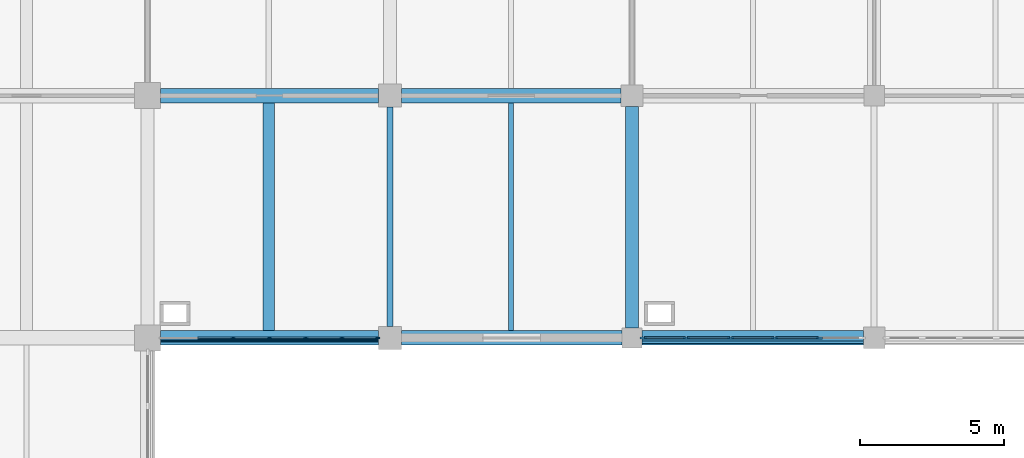
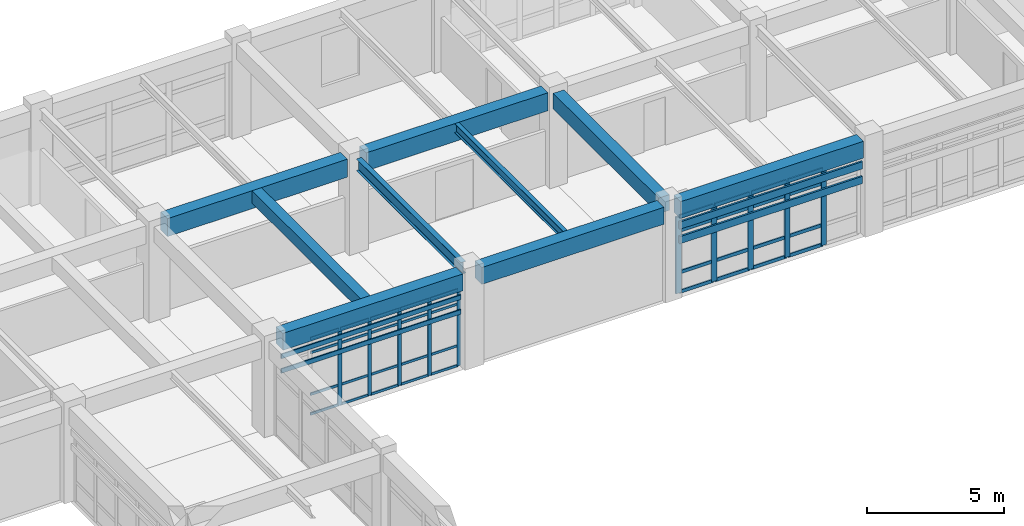
# One storey, part 53 of 99: 50 members, 9 beams, 2 elements without a shape of their own.
"""IFC4 building model written with IfcOpenShell, lengths in metres."""

from ifc_helpers import new_model, si_unit, direction, frame, origin, origin_2d, place, context, subcontext, project, spatial, rectangle, i_section, extrude, material, layer, layer_set, material_profile, profile_set, type_object, element, aggregate, save


model = new_model("IFC4")

# Units and contexts
model_context = context("Model", 3, precision=1e-05, world=origin(), true_north=direction((0.0, 1.0)))
body_context = subcontext(model_context, "Body", "Model", "MODEL_VIEW")
ifc_project = project(units=[si_unit("LENGTHUNIT", "METRE"), si_unit("AREAUNIT", "SQUARE_METRE"), si_unit("VOLUMEUNIT", "CUBIC_METRE"), si_unit("PLANEANGLEUNIT", "RADIAN"), si_unit("MASSUNIT", "GRAM", prefix="KILO")], contexts=[model_context])

# Site, building, storey
site_placement = place(None, origin())
site = spatial("IfcSite", under=ifc_project, at=site_placement, CompositionType="ELEMENT")
building_placement = place(site_placement, origin())
building = spatial("IfcBuilding", under=site, at=building_placement, Name="Porcellanite Civic Hall", CompositionType="ELEMENT")
storey_placement = place(building_placement, frame((0.0, 0.0, 5.760009765625)))
storey = spatial("IfcBuildingStorey", under=building, at=storey_placement, Name="L01", CompositionType="ELEMENT", Elevation=5.760009765625)

# Beams
ifc_material_1 = material(Name="Concrete N50 (50 MPa)", Category="concrete")
ifc_material_profile_1 = material_profile(ifc_material_1, rectangle(XDim=0.39990234375, YDim=0.550048828125, at=origin_2d()), Name="RC-400x550")
ifc_profile_set_1 = profile_set([ifc_material_profile_1], Name="Concrete N50 (50 MPa)")
beam_type_1 = type_object("IfcBeamType", Name="BM-RC550", PredefinedType="JOIST", material=ifc_profile_set_1)
beam_1_placement = place(storey_placement, frame((130.199951171875, 101.049560546875, 3.925048828125), z_axis=(0.0, 1.0, 0.0), x_axis=(-1.0, 0.0, 0.0)))
element("IfcBeam", 1, at=beam_1_placement, inside=storey, type_object=beam_type_1, Name="Secondary joist L01 16-13", PredefinedType="JOIST", context=body_context, shape_type="SweptSolid", body=[
    extrude(rectangle(XDim=0.39990234375, YDim=0.550048828125, at=origin_2d()), origin(), (0.0, 0.0, 1.0), 7.90087890625),
])
ifc_material_2 = material(Name="Concrete N50 (50 MPa)", Category="concrete")
ifc_material_profile_2 = material_profile(ifc_material_2, rectangle(XDim=0.449951171875, YDim=0.699951171875, at=origin_2d()), Name="RC-450x700")
ifc_profile_set_2 = profile_set([ifc_material_profile_2], Name="Concrete N50 (50 MPa)")
beam_type_2 = type_object("IfcBeamType", Name="BM-RC700", PredefinedType="BEAM", material=ifc_profile_set_2)
beam_2_placement = place(storey_placement, frame((142.800048828125, 101.1494140625, 3.85009765625), z_axis=(0.0, 1.0, 0.0), x_axis=(-1.0, 0.0, 0.0)))
element("IfcBeam", 2, at=beam_2_placement, inside=storey, type_object=beam_type_2, Name="Beam Y L01 18-13", PredefinedType="BEAM", context=body_context, shape_type="SweptSolid", body=[
    extrude(rectangle(XDim=0.449951171875, YDim=0.699951171875, at=origin_2d()), origin(), (0.0, 0.0, 1.0), 7.676025390625),
])
ifc_material_3 = material(Name="Concrete N50 (50 MPa)", Category="concrete")
ifc_material_profile_3 = material_profile(ifc_material_3, rectangle(XDim=0.5, YDim=0.75, at=origin_2d()), Name="RC-500x750")
ifc_profile_set_3 = profile_set([ifc_material_profile_3], Name="Concrete N50 (50 MPa)")
beam_type_3 = type_object("IfcBeamType", Name="BM-RC750", PredefinedType="SPANDREL", material=ifc_profile_set_3)
beam_3_placement = place(storey_placement, frame((126.449462890625, 100.800048828125, 3.824951171875), z_axis=(1.0, 0.0, 0.0), x_axis=(0.0, 1.0, 0.0)))
element("IfcBeam", 3, at=beam_3_placement, inside=storey, type_object=beam_type_3, Name="Beam X L01 16-13", PredefinedType="SPANDREL", context=body_context, shape_type="SweptSolid", body=[
    extrude(rectangle(XDim=0.5, YDim=0.75, at=origin_2d()), origin(), (0.0, 0.0, 1.0), 7.551025390625),
])
beam_4_placement = place(storey_placement, frame((134.799560546875, 100.800048828125, 3.824951171875), z_axis=(1.0, 0.0, 0.0), x_axis=(0.0, 1.0, 0.0)))
element("IfcBeam", 4, at=beam_4_placement, inside=storey, type_object=beam_type_3, Name="Beam X L01 17-13", PredefinedType="SPANDREL", context=body_context, shape_type="SweptSolid", body=[
    extrude(rectangle(XDim=0.5, YDim=0.75, at=origin_2d()), origin(), (0.0, 0.0, 1.0), 7.65087890625),
])
beam_5_placement = place(storey_placement, frame((143.1494140625, 100.800048828125, 3.824951171875), z_axis=(1.0, 0.0, 0.0), x_axis=(0.0, 1.0, 0.0)))
element("IfcBeam", 5, at=beam_5_placement, inside=storey, type_object=beam_type_3, Name="Beam X L01 18-13", PredefinedType="SPANDREL", context=body_context, shape_type="SweptSolid", body=[
    extrude(rectangle(XDim=0.5, YDim=0.75, at=origin_2d()), origin(), (0.0, 0.0, 1.0), 7.676025390625),
])
ifc_material_4 = material(Name="Concrete N50 (50 MPa)", Category="concrete")
ifc_material_profile_4 = material_profile(ifc_material_4, rectangle(XDim=0.5, YDim=0.800048828125, at=origin_2d()), Name="RC-500x800")
ifc_profile_set_4 = profile_set([ifc_material_profile_4], Name="Concrete N50 (50 MPa)")
beam_type_4 = type_object("IfcBeamType", Name="BM-RC800", PredefinedType="BEAM", material=ifc_profile_set_4)
beam_6_placement = place(storey_placement, frame((126.449462890625, 109.199951171875, 3.800048828125), z_axis=(1.0, 0.0, 0.0), x_axis=(0.0, 1.0, 0.0)))
element("IfcBeam", 6, at=beam_6_placement, inside=storey, type_object=beam_type_4, Name="Beam X L01 16-14", PredefinedType="BEAM", context=body_context, shape_type="SweptSolid", body=[
    extrude(rectangle(XDim=0.5, YDim=0.800048828125, at=origin_2d()), origin(), (0.0, 0.0, 1.0), 7.551025390625),
])
beam_7_placement = place(storey_placement, frame((134.799560546875, 109.199951171875, 3.800048828125), z_axis=(1.0, 0.0, 0.0), x_axis=(0.0, 1.0, 0.0)))
element("IfcBeam", 7, at=beam_7_placement, inside=storey, type_object=beam_type_4, Name="Beam X L01 17-14", PredefinedType="BEAM", context=body_context, shape_type="SweptSolid", body=[
    extrude(rectangle(XDim=0.5, YDim=0.800048828125, at=origin_2d()), origin(), (0.0, 0.0, 1.0), 7.6259765625),
])

# Curtain wall, members
ifc_material_5 = material(Name="Anodised aluminium and solar laminated glass", Category="aluminium")
ifc_layer_1 = layer(ifc_material_5, 0.179931640625)
ifc_layer_set_1 = layer_set([ifc_layer_1], Name="Anodised aluminium and solar laminated glass")
curtain_wall_type_1 = type_object("IfcCurtainWallType", Name="CW-SYS02", PredefinedType="NOTDEFINED", material=ifc_layer_set_1)
curtain_wall_1_placement = place(storey_placement, origin())
curtain_wall_1 = element("IfcCurtainWall", 8, at=curtain_wall_1_placement, inside=storey, type_object=curtain_wall_type_1, Name="Curtain wall CW-121", PredefinedType="NOTDEFINED")
ifc_material_6 = material(Name="Anodised aluminium 6063-T6", Category="aluminium")
ifc_material_profile_5 = material_profile(ifc_material_6, rectangle(XDim=0.074951171875, YDim=0.219970703125, at=origin_2d()), Name="AL-75x220")
ifc_profile_set_5 = profile_set([ifc_material_profile_5], Name="Anodised aluminium 6063-T6")
member_type_1 = type_object("IfcMemberType", Name="CWM-03", PredefinedType="MULLION", material=ifc_profile_set_5)
member_1_placement = place(storey_placement, frame((149.289306640625, 100.800048828125, 0.0), z_axis=(0.0, 0.0, 1.0), x_axis=(0.0, -1.0, 0.0)))
member_1 = element("IfcMember", 9, at=member_1_placement, type_object=member_type_1, Name="CW-121 mullion 2", PredefinedType="MULLION", context=body_context, shape_type="SweptSolid", body=[
    extrude(rectangle(XDim=0.074951171875, YDim=0.219970703125, at=origin_2d()), origin(), (0.0, 0.0, 1.0), 3.39990234375),
])
member_2_placement = place(storey_placement, frame((147.7548828125, 100.800048828125, 0.0), z_axis=(0.0, 0.0, 1.0), x_axis=(0.0, -1.0, 0.0)))
member_2 = element("IfcMember", 10, at=member_2_placement, type_object=member_type_1, Name="CW-121 mullion 3", PredefinedType="MULLION", context=body_context, shape_type="SweptSolid", body=[
    extrude(rectangle(XDim=0.074951171875, YDim=0.219970703125, at=origin_2d()), origin(), (0.0, 0.0, 1.0), 3.39990234375),
])
member_3_placement = place(storey_placement, frame((146.22021484375, 100.800048828125, 0.0), z_axis=(0.0, 0.0, 1.0), x_axis=(0.0, -1.0, 0.0)))
member_3 = element("IfcMember", 11, at=member_3_placement, type_object=member_type_1, Name="CW-121 mullion 4", PredefinedType="MULLION", context=body_context, shape_type="SweptSolid", body=[
    extrude(rectangle(XDim=0.074951171875, YDim=0.219970703125, at=origin_2d()), origin(), (0.0, 0.0, 1.0), 3.39990234375),
])
member_4_placement = place(storey_placement, frame((144.685546875, 100.800048828125, 0.0), z_axis=(0.0, 0.0, 1.0), x_axis=(0.0, -1.0, 0.0)))
member_4 = element("IfcMember", 12, at=member_4_placement, type_object=member_type_1, Name="CW-121 mullion 5", PredefinedType="MULLION", context=body_context, shape_type="SweptSolid", body=[
    extrude(rectangle(XDim=0.074951171875, YDim=0.219970703125, at=origin_2d()), origin(), (0.0, 0.0, 1.0), 3.39990234375),
])
member_5_placement = place(storey_placement, frame((143.1884765625, 100.800048828125, 0.0), z_axis=(0.0, 0.0, 1.0), x_axis=(0.0, -1.0, 0.0)))
member_5 = element("IfcMember", 13, at=member_5_placement, type_object=member_type_1, Name="CW-121 mullion 6", PredefinedType="MULLION", context=body_context, shape_type="SweptSolid", body=[
    extrude(rectangle(XDim=0.074951171875, YDim=0.219970703125, at=origin_2d()), origin(), (0.0, 0.0, 1.0), 3.39990234375),
])

ifc_material_7 = material(Name="Anodised aluminium and solar laminated glass", Category="aluminium")
ifc_layer_2 = layer(ifc_material_7, 0.179931640625)
ifc_layer_set_2 = layer_set([ifc_layer_2], Name="Anodised aluminium and solar laminated glass")
curtain_wall_type_2 = type_object("IfcCurtainWallType", Name="CW-SYS07", PredefinedType="NOTDEFINED", material=ifc_layer_set_2)
curtain_wall_2_placement = place(storey_placement, origin())
curtain_wall_2 = element("IfcCurtainWall", 14, at=curtain_wall_2_placement, inside=storey, type_object=curtain_wall_type_2, Name="Curtain wall CW-117", PredefinedType="NOTDEFINED")
ifc_material_8 = material(Name="Anodised aluminium 6063-T6", Category="aluminium")
ifc_material_profile_6 = material_profile(ifc_material_8, rectangle(XDim=0.06005859375, YDim=0.159912109375, at=origin_2d()), Name="AL-60x160")
ifc_profile_set_6 = profile_set([ifc_material_profile_6], Name="Anodised aluminium 6063-T6")
member_type_2 = type_object("IfcMemberType", Name="CWM-07", PredefinedType="MULLION", material=ifc_profile_set_6)
member_6_placement = place(storey_placement, frame((133.968994140625, 100.800048828125, 0.0), z_axis=(0.0, 0.0, 1.0), x_axis=(0.0, -1.0, 0.0)))
member_6 = element("IfcMember", 15, at=member_6_placement, type_object=member_type_2, Name="CW-117 mullion 1", PredefinedType="MULLION", context=body_context, shape_type="SweptSolid", body=[
    extrude(rectangle(XDim=0.06005859375, YDim=0.159912109375, at=origin_2d()), origin(), (0.0, 0.0, 1.0), 3.39990234375),
])
member_7_placement = place(storey_placement, frame((132.740966796875, 100.800048828125, 0.0), z_axis=(0.0, 0.0, 1.0), x_axis=(0.0, -1.0, 0.0)))
member_7 = element("IfcMember", 16, at=member_7_placement, type_object=member_type_2, Name="CW-117 mullion 2", PredefinedType="MULLION", context=body_context, shape_type="SweptSolid", body=[
    extrude(rectangle(XDim=0.06005859375, YDim=0.159912109375, at=origin_2d()), origin(), (0.0, 0.0, 1.0), 3.39990234375),
])
member_8_placement = place(storey_placement, frame((131.48291015625, 100.800048828125, 0.0), z_axis=(0.0, 0.0, 1.0), x_axis=(0.0, -1.0, 0.0)))
member_8 = element("IfcMember", 17, at=member_8_placement, type_object=member_type_2, Name="CW-117 mullion 3", PredefinedType="MULLION", context=body_context, shape_type="SweptSolid", body=[
    extrude(rectangle(XDim=0.06005859375, YDim=0.159912109375, at=origin_2d()), origin(), (0.0, 0.0, 1.0), 3.39990234375),
])
member_9_placement = place(storey_placement, frame((130.22509765625, 100.800048828125, 0.0), z_axis=(0.0, 0.0, 1.0), x_axis=(0.0, -1.0, 0.0)))
member_9 = element("IfcMember", 18, at=member_9_placement, type_object=member_type_2, Name="CW-117 mullion 4", PredefinedType="MULLION", context=body_context, shape_type="SweptSolid", body=[
    extrude(rectangle(XDim=0.06005859375, YDim=0.159912109375, at=origin_2d()), origin(), (0.0, 0.0, 1.0), 3.39990234375),
])
member_10_placement = place(storey_placement, frame((128.967041015625, 100.800048828125, 0.0), z_axis=(0.0, 0.0, 1.0), x_axis=(0.0, -1.0, 0.0)))
member_10 = element("IfcMember", 19, at=member_10_placement, type_object=member_type_2, Name="CW-117 mullion 5", PredefinedType="MULLION", context=body_context, shape_type="SweptSolid", body=[
    extrude(rectangle(XDim=0.06005859375, YDim=0.159912109375, at=origin_2d()), origin(), (0.0, 0.0, 1.0), 3.39990234375),
])

# Member
ifc_material_9 = material(Name="Anodised aluminium 6063-T6", Category="aluminium")
ifc_material_profile_7 = material_profile(ifc_material_9, rectangle(XDim=0.06494140625, YDim=0.14990234375, at=origin_2d()), Name="AL-65x150")
ifc_profile_set_7 = profile_set([ifc_material_profile_7], Name="Anodised aluminium 6063-T6")
member_type_3 = type_object("IfcMemberType", Name="CWT-02", PredefinedType="USERDEFINED", material=ifc_profile_set_7)
member_11_placement = place(storey_placement, frame((149.251953125, 100.800048828125, 0.032470703125), z_axis=(-1.0, 0.0, 0.0), x_axis=(0.0, -1.0, 0.0)))
member_11 = element("IfcMember", 20, at=member_11_placement, type_object=member_type_3, Name="CW-121 transom 2.1", ObjectType="TRANSOM", PredefinedType="USERDEFINED", context=body_context, shape_type="SweptSolid", body=[
    extrude(rectangle(XDim=0.06494140625, YDim=0.14990234375, at=origin_2d()), origin(), (0.0, 0.0, 1.0), 1.459716796875),
])

member_12_placement = place(storey_placement, frame((149.251953125, 100.800048828125, 0.89990234375), z_axis=(-1.0, 0.0, 0.0), x_axis=(0.0, -1.0, 0.0)))
member_12 = element("IfcMember", 21, at=member_12_placement, type_object=member_type_3, Name="CW-121 transom 2.2", ObjectType="TRANSOM", PredefinedType="USERDEFINED", context=body_context, shape_type="SweptSolid", body=[
    extrude(rectangle(XDim=0.06494140625, YDim=0.14990234375, at=origin_2d()), origin(), (0.0, 0.0, 1.0), 1.459716796875),
])

member_13_placement = place(storey_placement, frame((149.251953125, 100.800048828125, 2.75), z_axis=(-1.0, 0.0, 0.0), x_axis=(0.0, -1.0, 0.0)))
member_13 = element("IfcMember", 22, at=member_13_placement, type_object=member_type_3, Name="CW-121 transom 2.3", ObjectType="TRANSOM", PredefinedType="USERDEFINED", context=body_context, shape_type="SweptSolid", body=[
    extrude(rectangle(XDim=0.06494140625, YDim=0.14990234375, at=origin_2d()), origin(), (0.0, 0.0, 1.0), 1.459716796875),
])

member_14_placement = place(storey_placement, frame((149.251953125, 100.800048828125, 3.367431640625), z_axis=(-1.0, 0.0, 0.0), x_axis=(0.0, -1.0, 0.0)))
member_14 = element("IfcMember", 23, at=member_14_placement, type_object=member_type_3, Name="CW-121 transom 2.4", ObjectType="TRANSOM", PredefinedType="USERDEFINED", context=body_context, shape_type="SweptSolid", body=[
    extrude(rectangle(XDim=0.06494140625, YDim=0.14990234375, at=origin_2d()), origin(), (0.0, 0.0, 1.0), 1.459716796875),
])

member_15_placement = place(storey_placement, frame((147.71728515625, 100.800048828125, 0.032470703125), z_axis=(-1.0, 0.0, 0.0), x_axis=(0.0, -1.0, 0.0)))
member_15 = element("IfcMember", 24, at=member_15_placement, type_object=member_type_3, Name="CW-121 transom 3.1", ObjectType="TRANSOM", PredefinedType="USERDEFINED", context=body_context, shape_type="SweptSolid", body=[
    extrude(rectangle(XDim=0.06494140625, YDim=0.14990234375, at=origin_2d()), origin(), (0.0, 0.0, 1.0), 1.45947265625),
])

member_16_placement = place(storey_placement, frame((147.71728515625, 100.800048828125, 0.89990234375), z_axis=(-1.0, 0.0, 0.0), x_axis=(0.0, -1.0, 0.0)))
member_16 = element("IfcMember", 25, at=member_16_placement, type_object=member_type_3, Name="CW-121 transom 3.2", ObjectType="TRANSOM", PredefinedType="USERDEFINED", context=body_context, shape_type="SweptSolid", body=[
    extrude(rectangle(XDim=0.06494140625, YDim=0.14990234375, at=origin_2d()), origin(), (0.0, 0.0, 1.0), 1.45947265625),
])

member_17_placement = place(storey_placement, frame((147.71728515625, 100.800048828125, 2.75), z_axis=(-1.0, 0.0, 0.0), x_axis=(0.0, -1.0, 0.0)))
member_17 = element("IfcMember", 26, at=member_17_placement, type_object=member_type_3, Name="CW-121 transom 3.3", ObjectType="TRANSOM", PredefinedType="USERDEFINED", context=body_context, shape_type="SweptSolid", body=[
    extrude(rectangle(XDim=0.06494140625, YDim=0.14990234375, at=origin_2d()), origin(), (0.0, 0.0, 1.0), 1.45947265625),
])

member_18_placement = place(storey_placement, frame((147.71728515625, 100.800048828125, 3.367431640625), z_axis=(-1.0, 0.0, 0.0), x_axis=(0.0, -1.0, 0.0)))
member_18 = element("IfcMember", 27, at=member_18_placement, type_object=member_type_3, Name="CW-121 transom 3.4", ObjectType="TRANSOM", PredefinedType="USERDEFINED", context=body_context, shape_type="SweptSolid", body=[
    extrude(rectangle(XDim=0.06494140625, YDim=0.14990234375, at=origin_2d()), origin(), (0.0, 0.0, 1.0), 1.45947265625),
])

member_19_placement = place(storey_placement, frame((146.1826171875, 100.800048828125, 0.032470703125), z_axis=(-1.0, 0.0, 0.0), x_axis=(0.0, -1.0, 0.0)))
member_19 = element("IfcMember", 28, at=member_19_placement, type_object=member_type_3, Name="CW-121 transom 4.1", ObjectType="TRANSOM", PredefinedType="USERDEFINED", context=body_context, shape_type="SweptSolid", body=[
    extrude(rectangle(XDim=0.06494140625, YDim=0.14990234375, at=origin_2d()), origin(), (0.0, 0.0, 1.0), 1.45947265625),
])

member_20_placement = place(storey_placement, frame((146.1826171875, 100.800048828125, 0.89990234375), z_axis=(-1.0, 0.0, 0.0), x_axis=(0.0, -1.0, 0.0)))
member_20 = element("IfcMember", 29, at=member_20_placement, type_object=member_type_3, Name="CW-121 transom 4.2", ObjectType="TRANSOM", PredefinedType="USERDEFINED", context=body_context, shape_type="SweptSolid", body=[
    extrude(rectangle(XDim=0.06494140625, YDim=0.14990234375, at=origin_2d()), origin(), (0.0, 0.0, 1.0), 1.45947265625),
])

member_21_placement = place(storey_placement, frame((146.1826171875, 100.800048828125, 2.75), z_axis=(-1.0, 0.0, 0.0), x_axis=(0.0, -1.0, 0.0)))
member_21 = element("IfcMember", 30, at=member_21_placement, type_object=member_type_3, Name="CW-121 transom 4.3", ObjectType="TRANSOM", PredefinedType="USERDEFINED", context=body_context, shape_type="SweptSolid", body=[
    extrude(rectangle(XDim=0.06494140625, YDim=0.14990234375, at=origin_2d()), origin(), (0.0, 0.0, 1.0), 1.45947265625),
])

member_22_placement = place(storey_placement, frame((146.1826171875, 100.800048828125, 3.367431640625), z_axis=(-1.0, 0.0, 0.0), x_axis=(0.0, -1.0, 0.0)))
member_22 = element("IfcMember", 31, at=member_22_placement, type_object=member_type_3, Name="CW-121 transom 4.4", ObjectType="TRANSOM", PredefinedType="USERDEFINED", context=body_context, shape_type="SweptSolid", body=[
    extrude(rectangle(XDim=0.06494140625, YDim=0.14990234375, at=origin_2d()), origin(), (0.0, 0.0, 1.0), 1.45947265625),
])

member_23_placement = place(storey_placement, frame((144.648193359375, 100.800048828125, 0.032470703125), z_axis=(-1.0, 0.0, 0.0), x_axis=(0.0, -1.0, 0.0)))
member_23 = element("IfcMember", 32, at=member_23_placement, type_object=member_type_3, Name="CW-121 transom 5.1", ObjectType="TRANSOM", PredefinedType="USERDEFINED", context=body_context, shape_type="SweptSolid", body=[
    extrude(rectangle(XDim=0.06494140625, YDim=0.14990234375, at=origin_2d()), origin(), (0.0, 0.0, 1.0), 1.422119140625),
])

member_24_placement = place(storey_placement, frame((144.648193359375, 100.800048828125, 0.89990234375), z_axis=(-1.0, 0.0, 0.0), x_axis=(0.0, -1.0, 0.0)))
member_24 = element("IfcMember", 33, at=member_24_placement, type_object=member_type_3, Name="CW-121 transom 5.2", ObjectType="TRANSOM", PredefinedType="USERDEFINED", context=body_context, shape_type="SweptSolid", body=[
    extrude(rectangle(XDim=0.06494140625, YDim=0.14990234375, at=origin_2d()), origin(), (0.0, 0.0, 1.0), 1.422119140625),
])

member_25_placement = place(storey_placement, frame((144.648193359375, 100.800048828125, 2.75), z_axis=(-1.0, 0.0, 0.0), x_axis=(0.0, -1.0, 0.0)))
member_25 = element("IfcMember", 34, at=member_25_placement, type_object=member_type_3, Name="CW-121 transom 5.3", ObjectType="TRANSOM", PredefinedType="USERDEFINED", context=body_context, shape_type="SweptSolid", body=[
    extrude(rectangle(XDim=0.06494140625, YDim=0.14990234375, at=origin_2d()), origin(), (0.0, 0.0, 1.0), 1.422119140625),
])

member_26_placement = place(storey_placement, frame((144.648193359375, 100.800048828125, 3.367431640625), z_axis=(-1.0, 0.0, 0.0), x_axis=(0.0, -1.0, 0.0)))
member_26 = element("IfcMember", 35, at=member_26_placement, type_object=member_type_3, Name="CW-121 transom 5.4", ObjectType="TRANSOM", PredefinedType="USERDEFINED", context=body_context, shape_type="SweptSolid", body=[
    extrude(rectangle(XDim=0.06494140625, YDim=0.14990234375, at=origin_2d()), origin(), (0.0, 0.0, 1.0), 1.422119140625),
])

aggregate(curtain_wall_1, [member_1, member_2, member_3, member_4, member_5, member_11, member_12, member_13, member_14, member_15, member_16, member_17, member_18, member_19, member_20, member_21, member_22, member_23, member_24, member_25, member_26])

ifc_material_10 = material(Name="Anodised aluminium 6063-T6", Category="aluminium")
ifc_material_profile_8 = material_profile(ifc_material_10, rectangle(XDim=0.050048828125, YDim=0.110107421875, at=origin_2d()), Name="AL-50x110")
ifc_profile_set_8 = profile_set([ifc_material_profile_8], Name="Anodised aluminium 6063-T6")
member_type_4 = type_object("IfcMemberType", Name="CWT-07", PredefinedType="USERDEFINED", material=ifc_profile_set_8)
member_27_placement = place(storey_placement, frame((133.93896484375, 100.800048828125, 0.02490234375), z_axis=(-1.0, 0.0, 0.0), x_axis=(0.0, -1.0, 0.0)))
member_27 = element("IfcMember", 36, at=member_27_placement, type_object=member_type_4, Name="CW-117 transom 1.1", ObjectType="TRANSOM", PredefinedType="USERDEFINED", context=body_context, shape_type="SweptSolid", body=[
    extrude(rectangle(XDim=0.050048828125, YDim=0.110107421875, at=origin_2d()), origin(), (0.0, 0.0, 1.0), 1.16796875),
])

member_28_placement = place(storey_placement, frame((133.93896484375, 100.800048828125, 0.89990234375), z_axis=(-1.0, 0.0, 0.0), x_axis=(0.0, -1.0, 0.0)))
member_28 = element("IfcMember", 37, at=member_28_placement, type_object=member_type_4, Name="CW-117 transom 1.2", ObjectType="TRANSOM", PredefinedType="USERDEFINED", context=body_context, shape_type="SweptSolid", body=[
    extrude(rectangle(XDim=0.050048828125, YDim=0.110107421875, at=origin_2d()), origin(), (0.0, 0.0, 1.0), 1.16796875),
])

member_29_placement = place(storey_placement, frame((133.93896484375, 100.800048828125, 2.75), z_axis=(-1.0, 0.0, 0.0), x_axis=(0.0, -1.0, 0.0)))
member_29 = element("IfcMember", 38, at=member_29_placement, type_object=member_type_4, Name="CW-117 transom 1.3", ObjectType="TRANSOM", PredefinedType="USERDEFINED", context=body_context, shape_type="SweptSolid", body=[
    extrude(rectangle(XDim=0.050048828125, YDim=0.110107421875, at=origin_2d()), origin(), (0.0, 0.0, 1.0), 1.16796875),
])

member_30_placement = place(storey_placement, frame((133.93896484375, 100.800048828125, 3.375), z_axis=(-1.0, 0.0, 0.0), x_axis=(0.0, -1.0, 0.0)))
member_30 = element("IfcMember", 39, at=member_30_placement, type_object=member_type_4, Name="CW-117 transom 1.4", ObjectType="TRANSOM", PredefinedType="USERDEFINED", context=body_context, shape_type="SweptSolid", body=[
    extrude(rectangle(XDim=0.050048828125, YDim=0.110107421875, at=origin_2d()), origin(), (0.0, 0.0, 1.0), 1.16796875),
])

member_31_placement = place(storey_placement, frame((132.7109375, 100.800048828125, 0.02490234375), z_axis=(-1.0, 0.0, 0.0), x_axis=(0.0, -1.0, 0.0)))
member_31 = element("IfcMember", 40, at=member_31_placement, type_object=member_type_4, Name="CW-117 transom 2.1", ObjectType="TRANSOM", PredefinedType="USERDEFINED", context=body_context, shape_type="SweptSolid", body=[
    extrude(rectangle(XDim=0.050048828125, YDim=0.110107421875, at=origin_2d()), origin(), (0.0, 0.0, 1.0), 1.197998046875),
])

member_32_placement = place(storey_placement, frame((132.7109375, 100.800048828125, 0.89990234375), z_axis=(-1.0, 0.0, 0.0), x_axis=(0.0, -1.0, 0.0)))
member_32 = element("IfcMember", 41, at=member_32_placement, type_object=member_type_4, Name="CW-117 transom 2.2", ObjectType="TRANSOM", PredefinedType="USERDEFINED", context=body_context, shape_type="SweptSolid", body=[
    extrude(rectangle(XDim=0.050048828125, YDim=0.110107421875, at=origin_2d()), origin(), (0.0, 0.0, 1.0), 1.197998046875),
])

member_33_placement = place(storey_placement, frame((132.7109375, 100.800048828125, 2.75), z_axis=(-1.0, 0.0, 0.0), x_axis=(0.0, -1.0, 0.0)))
member_33 = element("IfcMember", 42, at=member_33_placement, type_object=member_type_4, Name="CW-117 transom 2.3", ObjectType="TRANSOM", PredefinedType="USERDEFINED", context=body_context, shape_type="SweptSolid", body=[
    extrude(rectangle(XDim=0.050048828125, YDim=0.110107421875, at=origin_2d()), origin(), (0.0, 0.0, 1.0), 1.197998046875),
])

member_34_placement = place(storey_placement, frame((132.7109375, 100.800048828125, 3.375), z_axis=(-1.0, 0.0, 0.0), x_axis=(0.0, -1.0, 0.0)))
member_34 = element("IfcMember", 43, at=member_34_placement, type_object=member_type_4, Name="CW-117 transom 2.4", ObjectType="TRANSOM", PredefinedType="USERDEFINED", context=body_context, shape_type="SweptSolid", body=[
    extrude(rectangle(XDim=0.050048828125, YDim=0.110107421875, at=origin_2d()), origin(), (0.0, 0.0, 1.0), 1.197998046875),
])

member_35_placement = place(storey_placement, frame((131.452880859375, 100.800048828125, 0.02490234375), z_axis=(-1.0, 0.0, 0.0), x_axis=(0.0, -1.0, 0.0)))
member_35 = element("IfcMember", 44, at=member_35_placement, type_object=member_type_4, Name="CW-117 transom 3.1", ObjectType="TRANSOM", PredefinedType="USERDEFINED", context=body_context, shape_type="SweptSolid", body=[
    extrude(rectangle(XDim=0.050048828125, YDim=0.110107421875, at=origin_2d()), origin(), (0.0, 0.0, 1.0), 1.197998046875),
])

member_36_placement = place(storey_placement, frame((131.452880859375, 100.800048828125, 0.89990234375), z_axis=(-1.0, 0.0, 0.0), x_axis=(0.0, -1.0, 0.0)))
member_36 = element("IfcMember", 45, at=member_36_placement, type_object=member_type_4, Name="CW-117 transom 3.2", ObjectType="TRANSOM", PredefinedType="USERDEFINED", context=body_context, shape_type="SweptSolid", body=[
    extrude(rectangle(XDim=0.050048828125, YDim=0.110107421875, at=origin_2d()), origin(), (0.0, 0.0, 1.0), 1.197998046875),
])

member_37_placement = place(storey_placement, frame((131.452880859375, 100.800048828125, 2.75), z_axis=(-1.0, 0.0, 0.0), x_axis=(0.0, -1.0, 0.0)))
member_37 = element("IfcMember", 46, at=member_37_placement, type_object=member_type_4, Name="CW-117 transom 3.3", ObjectType="TRANSOM", PredefinedType="USERDEFINED", context=body_context, shape_type="SweptSolid", body=[
    extrude(rectangle(XDim=0.050048828125, YDim=0.110107421875, at=origin_2d()), origin(), (0.0, 0.0, 1.0), 1.197998046875),
])

member_38_placement = place(storey_placement, frame((131.452880859375, 100.800048828125, 3.375), z_axis=(-1.0, 0.0, 0.0), x_axis=(0.0, -1.0, 0.0)))
member_38 = element("IfcMember", 47, at=member_38_placement, type_object=member_type_4, Name="CW-117 transom 3.4", ObjectType="TRANSOM", PredefinedType="USERDEFINED", context=body_context, shape_type="SweptSolid", body=[
    extrude(rectangle(XDim=0.050048828125, YDim=0.110107421875, at=origin_2d()), origin(), (0.0, 0.0, 1.0), 1.197998046875),
])

member_39_placement = place(storey_placement, frame((130.195068359375, 100.800048828125, 0.02490234375), z_axis=(-1.0, 0.0, 0.0), x_axis=(0.0, -1.0, 0.0)))
member_39 = element("IfcMember", 48, at=member_39_placement, type_object=member_type_4, Name="CW-117 transom 4.1", ObjectType="TRANSOM", PredefinedType="USERDEFINED", context=body_context, shape_type="SweptSolid", body=[
    extrude(rectangle(XDim=0.050048828125, YDim=0.110107421875, at=origin_2d()), origin(), (0.0, 0.0, 1.0), 1.197998046875),
])

member_40_placement = place(storey_placement, frame((130.195068359375, 100.800048828125, 0.89990234375), z_axis=(-1.0, 0.0, 0.0), x_axis=(0.0, -1.0, 0.0)))
member_40 = element("IfcMember", 49, at=member_40_placement, type_object=member_type_4, Name="CW-117 transom 4.2", ObjectType="TRANSOM", PredefinedType="USERDEFINED", context=body_context, shape_type="SweptSolid", body=[
    extrude(rectangle(XDim=0.050048828125, YDim=0.110107421875, at=origin_2d()), origin(), (0.0, 0.0, 1.0), 1.197998046875),
])

member_41_placement = place(storey_placement, frame((130.195068359375, 100.800048828125, 2.75), z_axis=(-1.0, 0.0, 0.0), x_axis=(0.0, -1.0, 0.0)))
member_41 = element("IfcMember", 50, at=member_41_placement, type_object=member_type_4, Name="CW-117 transom 4.3", ObjectType="TRANSOM", PredefinedType="USERDEFINED", context=body_context, shape_type="SweptSolid", body=[
    extrude(rectangle(XDim=0.050048828125, YDim=0.110107421875, at=origin_2d()), origin(), (0.0, 0.0, 1.0), 1.197998046875),
])

member_42_placement = place(storey_placement, frame((130.195068359375, 100.800048828125, 3.375), z_axis=(-1.0, 0.0, 0.0), x_axis=(0.0, -1.0, 0.0)))
member_42 = element("IfcMember", 51, at=member_42_placement, type_object=member_type_4, Name="CW-117 transom 4.4", ObjectType="TRANSOM", PredefinedType="USERDEFINED", context=body_context, shape_type="SweptSolid", body=[
    extrude(rectangle(XDim=0.050048828125, YDim=0.110107421875, at=origin_2d()), origin(), (0.0, 0.0, 1.0), 1.197998046875),
])

member_43_placement = place(storey_placement, frame((128.93701171875, 100.800048828125, 0.02490234375), z_axis=(-1.0, 0.0, 0.0), x_axis=(0.0, -1.0, 0.0)))
member_43 = element("IfcMember", 52, at=member_43_placement, type_object=member_type_4, Name="CW-117 transom 5.1", ObjectType="TRANSOM", PredefinedType="USERDEFINED", context=body_context, shape_type="SweptSolid", body=[
    extrude(rectangle(XDim=0.050048828125, YDim=0.110107421875, at=origin_2d()), origin(), (0.0, 0.0, 1.0), 1.197998046875),
])

member_44_placement = place(storey_placement, frame((128.93701171875, 100.800048828125, 0.89990234375), z_axis=(-1.0, 0.0, 0.0), x_axis=(0.0, -1.0, 0.0)))
member_44 = element("IfcMember", 53, at=member_44_placement, type_object=member_type_4, Name="CW-117 transom 5.2", ObjectType="TRANSOM", PredefinedType="USERDEFINED", context=body_context, shape_type="SweptSolid", body=[
    extrude(rectangle(XDim=0.050048828125, YDim=0.110107421875, at=origin_2d()), origin(), (0.0, 0.0, 1.0), 1.197998046875),
])

member_45_placement = place(storey_placement, frame((128.93701171875, 100.800048828125, 2.75), z_axis=(-1.0, 0.0, 0.0), x_axis=(0.0, -1.0, 0.0)))
member_45 = element("IfcMember", 54, at=member_45_placement, type_object=member_type_4, Name="CW-117 transom 5.3", ObjectType="TRANSOM", PredefinedType="USERDEFINED", context=body_context, shape_type="SweptSolid", body=[
    extrude(rectangle(XDim=0.050048828125, YDim=0.110107421875, at=origin_2d()), origin(), (0.0, 0.0, 1.0), 1.197998046875),
])

member_46_placement = place(storey_placement, frame((128.93701171875, 100.800048828125, 3.375), z_axis=(-1.0, 0.0, 0.0), x_axis=(0.0, -1.0, 0.0)))
member_46 = element("IfcMember", 55, at=member_46_placement, type_object=member_type_4, Name="CW-117 transom 5.4", ObjectType="TRANSOM", PredefinedType="USERDEFINED", context=body_context, shape_type="SweptSolid", body=[
    extrude(rectangle(XDim=0.050048828125, YDim=0.110107421875, at=origin_2d()), origin(), (0.0, 0.0, 1.0), 1.197998046875),
])

aggregate(curtain_wall_2, [member_6, member_7, member_8, member_9, member_10, member_27, member_28, member_29, member_30, member_31, member_32, member_33, member_34, member_35, member_36, member_37, member_38, member_39, member_40, member_41, member_42, member_43, member_44, member_45, member_46])

# Beam
ifc_material_11 = material(Name="Steel Grade 350", Category="steel")
ifc_material_profile_9 = material_profile(ifc_material_11, i_section(OverallWidth=0.177978515625, OverallDepth=0.406005859375, WebThickness=0.0078125, FlangeThickness=0.0126953125, FilletRadius=0.011474609375, at=origin_2d()), Name="410UB59.7")
ifc_profile_set_9 = profile_set([ifc_material_profile_9], Name="Steel Grade 350")
beam_type_5 = type_object("IfcBeamType", Name="JST-410UB60", PredefinedType="JOIST", material=ifc_profile_set_9)
beam_8_placement = place(storey_placement, frame((138.60009765625, 101.049560546875, 3.9970703125), z_axis=(0.0, 1.0, 0.0), x_axis=(-1.0, 0.0, 0.0)))
element("IfcBeam", 56, at=beam_8_placement, inside=storey, type_object=beam_type_5, Name="Secondary joist L01 17-13", PredefinedType="JOIST", context=body_context, shape_type="SweptSolid", body=[
    extrude(i_section(OverallWidth=0.177978515625, OverallDepth=0.406005859375, WebThickness=0.0078125, FlangeThickness=0.0126953125, FilletRadius=0.011474609375, at=origin_2d()), origin(), (0.0, 0.0, 1.0), 7.90087890625),
])

# Members
ifc_material_12 = material(Name="Fluoropolymer bauxite-red aluminium 6063-T6", Category="aluminium")
ifc_material_profile_10 = material_profile(ifc_material_12, rectangle(XDim=0.080078125, YDim=0.320068359375, at=origin_2d()), Name="AL-80x320")
ifc_profile_set_10 = profile_set([ifc_material_profile_10], Name="Fluoropolymer bauxite-red aluminium 6063-T6")
member_type_5 = type_object("IfcMemberType", Name="LV-BLD03", PredefinedType="USERDEFINED", material=ifc_profile_set_10)
for number, where, z_axis, x_axis, name in (
    (57, (150.825439453125, 100.64794921875, 3.10009765625), (-1.0, 0.0, 0.0), (0.0, -1.0, 0.0), "Cyclone sunshade louvre L01 S 17-12 1"),
    (58, (150.825439453125, 100.64794921875, 2.449951171875), (-1.0, 0.0, 0.0), (0.0, -1.0, 0.0), "Cyclone sunshade louvre L01 S 17-12 2"),
):
    element("IfcMember", number, at=place(storey_placement, frame(where, z_axis=z_axis, x_axis=x_axis)), inside=storey, type_object=member_type_5, Name=name, ObjectType="LOUVRE BLADE", PredefinedType="USERDEFINED", context=body_context, shape_type="SweptSolid", body=[
        extrude(rectangle(XDim=0.080078125, YDim=0.320068359375, at=origin_2d()), origin(), (0.0, 0.0, 1.0), 7.676025390625),
    ])
ifc_material_13 = material(Name="Fluoropolymer bauxite-red aluminium 6063-T6", Category="aluminium")
ifc_material_profile_11 = material_profile(ifc_material_13, rectangle(XDim=0.050048828125, YDim=0.199951171875, at=origin_2d()), Name="AL-50x200")
ifc_profile_set_11 = profile_set([ifc_material_profile_11], Name="Fluoropolymer bauxite-red aluminium 6063-T6")
member_type_6 = type_object("IfcMemberType", Name="LV-BLD10", PredefinedType="USERDEFINED", material=ifc_profile_set_11)
for number, where, z_axis, x_axis, name in (
    (59, (134.00048828125, 100.693115234375, 3.10009765625), (-1.0, 0.0, 0.0), (0.0, -1.0, 0.0), "Cyclone sunshade louvre L01 S 15-12 1"),
    (60, (134.00048828125, 100.693115234375, 2.449951171875), (-1.0, 0.0, 0.0), (0.0, -1.0, 0.0), "Cyclone sunshade louvre L01 S 15-12 2"),
):
    element("IfcMember", number, at=place(storey_placement, frame(where, z_axis=z_axis, x_axis=x_axis)), inside=storey, type_object=member_type_6, Name=name, ObjectType="LOUVRE BLADE", PredefinedType="USERDEFINED", context=body_context, shape_type="SweptSolid", body=[
        extrude(rectangle(XDim=0.050048828125, YDim=0.199951171875, at=origin_2d()), origin(), (0.0, 0.0, 1.0), 7.551025390625),
    ])

# Beam
ifc_material_14 = material(Name="Steel Grade 350", Category="steel")
ifc_material_profile_12 = material_profile(ifc_material_14, i_section(OverallWidth=0.208984375, OverallDepth=0.528076171875, WebThickness=0.009521484375, FlangeThickness=0.01318359375, FilletRadius=0.013916015625, at=origin_2d()), Name="530UB82.0")
ifc_profile_set_12 = profile_set([ifc_material_profile_12], Name="Steel Grade 350")
beam_type_6 = type_object("IfcBeamType", Name="RAF-530UB82", PredefinedType="BEAM", material=ifc_profile_set_12)
beam_9_placement = place(storey_placement, frame((134.39990234375, 101.199462890625, 3.93603515625), z_axis=(0.0, 1.0, 0.0), x_axis=(-1.0, 0.0, 0.0)))
element("IfcBeam", 61, at=beam_9_placement, inside=storey, type_object=beam_type_6, Name="Beam Y L01 17-13", PredefinedType="BEAM", context=body_context, shape_type="SweptSolid", body=[
    extrude(i_section(OverallWidth=0.208984375, OverallDepth=0.528076171875, WebThickness=0.009521484375, FlangeThickness=0.01318359375, FilletRadius=0.013916015625, at=origin_2d()), origin(), (0.0, 0.0, 1.0), 7.60107421875),
])

save(model, "model.ifc")
